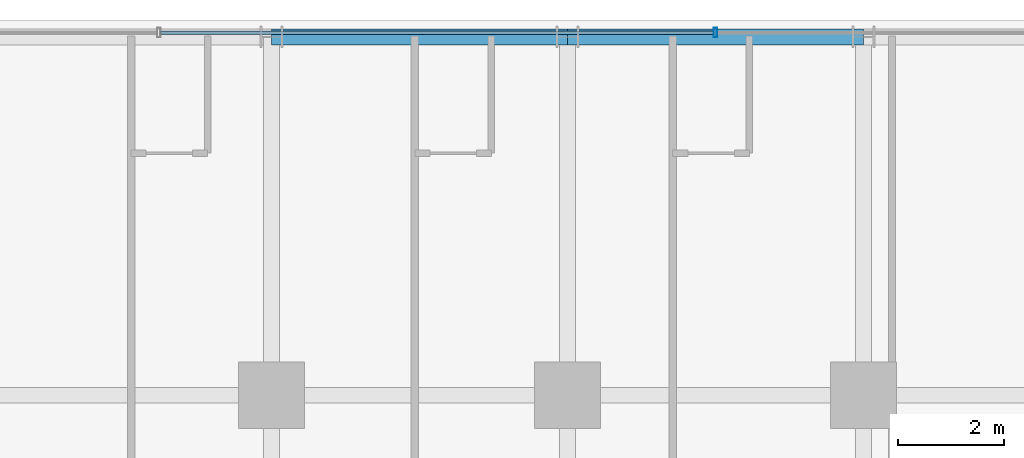
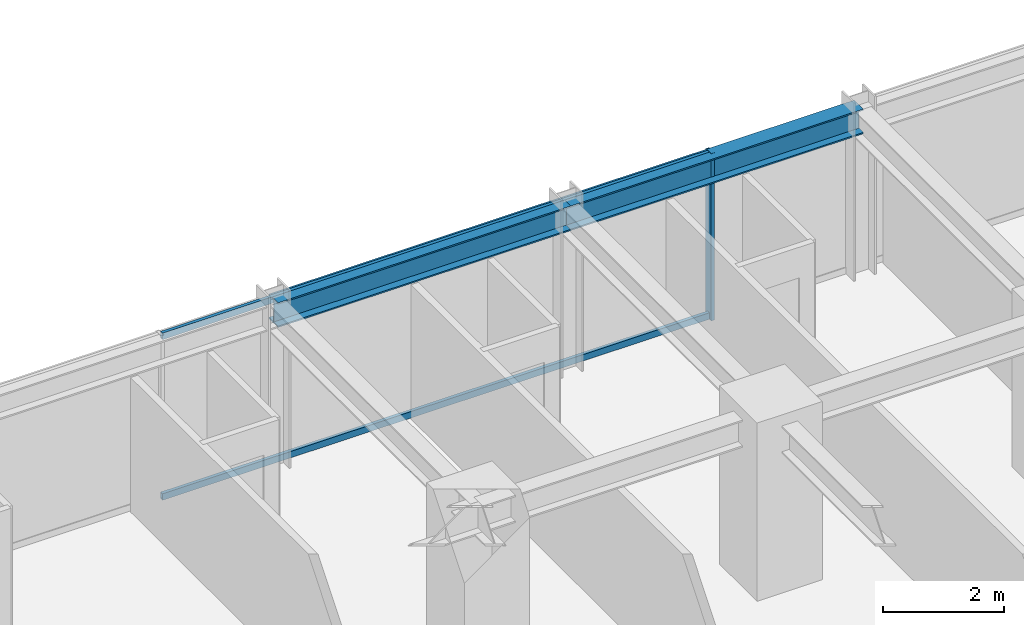
# One storey, part 19 of 32: 3 members, 2 beams, 1 element without a shape of its own.
"""IFC4 building model written with IfcOpenShell, lengths in metres."""

from ifc_helpers import new_model, si_unit, direction, frame, origin, origin_2d, place, context, subcontext, project, spatial, hollow_rectangle, i_section, extrude, source, transform, mapped, material, material_profile, profile_set, type_object, element, aggregate, save


model = new_model("IFC4")

# Units and contexts
model_context = context("Model", 3, precision=1e-05, world=origin(), true_north=direction((0.0, 1.0)))
body_context = subcontext(model_context, "Body", "Model", "MODEL_VIEW")
ifc_project = project(units=[si_unit("LENGTHUNIT", "METRE"), si_unit("AREAUNIT", "SQUARE_METRE"), si_unit("VOLUMEUNIT", "CUBIC_METRE"), si_unit("PLANEANGLEUNIT", "RADIAN"), si_unit("MASSUNIT", "GRAM", prefix="KILO")], contexts=[model_context])

# Site, building, storey
site_placement = place(None, origin())
site = spatial("IfcSite", under=ifc_project, at=site_placement, CompositionType="ELEMENT")
building_placement = place(site_placement, origin())
building = spatial("IfcBuilding", under=site, at=building_placement, Name="Nahalor Promenade Grand Hotel", CompositionType="ELEMENT")
storey_placement = place(building_placement, frame((0.0, 0.0, 102.89990234375)))
storey = spatial("IfcBuildingStorey", under=building, at=storey_placement, Name="L25", CompositionType="ELEMENT", Elevation=102.89990234375)

# Beams
ifc_material_1 = material(Name="Steel S355JR", Category="steel")
ifc_material_profile_1 = material_profile(ifc_material_1, i_section(OverallWidth=0.3, OverallDepth=0.5, WebThickness=0.0145, FlangeThickness=0.028, at=origin_2d()), Name="HEB 500")
ifc_profile_set_1 = profile_set([ifc_material_profile_1], Name="Steel S355JR")
beam_type = type_object("IfcBeamType", Name="Beam-Spandrel-HEB500", PredefinedType="SPANDREL", material=ifc_profile_set_1)
shared_shape_1 = source(origin(), body_context, "Body", "SweptSolid", [
    extrude(i_section(OverallWidth=0.3, OverallDepth=0.5, WebThickness=0.0145, FlangeThickness=0.028, at=origin_2d()), origin(), (0.0, 0.0, 1.0), 5.599853515625),
])
beam_1_placement = place(storey_placement, frame((-8.39990234375, 23.780029296875, 3.130126953125), z_axis=(1.0, 0.0, 0.0), x_axis=(0.0, 1.0, 0.0)))
element("IfcBeam", 1, at=beam_1_placement, inside=storey, type_object=beam_type, Name="BM-L25-SP-N-1", PredefinedType="SPANDREL", context=body_context, shape_type="MappedRepresentation", body=[
    mapped(shared_shape_1, transform((0.0, 0.0, 0.0), scale=1.0)),
])
shared_shape_2 = source(origin(), body_context, "Body", "SweptSolid", [
    extrude(i_section(OverallWidth=0.3, OverallDepth=0.5, WebThickness=0.0145, FlangeThickness=0.028, at=origin_2d()), origin(), (0.0, 0.0, 1.0), 5.60009765625),
])
beam_2_placement = place(storey_placement, frame((-2.800048828125, 23.780029296875, 3.130126953125), z_axis=(1.0, 0.0, 0.0), x_axis=(0.0, 1.0, 0.0)))
element("IfcBeam", 2, at=beam_2_placement, inside=storey, type_object=beam_type, Name="BM-L25-SP-N-2", PredefinedType="SPANDREL", context=body_context, shape_type="MappedRepresentation", body=[
    mapped(shared_shape_2, transform((0.0, 0.0, 0.0), scale=1.0)),
])

# Curtain wall, members
ifc_material_2 = material(Name="Anodised Bronze Aluminium EN AW-6063 T6", Category="aluminium")
curtain_wall_type = type_object("IfcCurtainWallType", Name="CW2 Typical Hotel Flush Bronze Unitised Curtain Wall", PredefinedType="USERDEFINED", material=ifc_material_2)
curtain_wall_placement = place(storey_placement, origin())
curtain_wall = element("IfcCurtainWall", 3, at=curtain_wall_placement, inside=storey, type_object=curtain_wall_type, Name="L25 Curtain Wall CW-L25-N-1", ObjectType="UNITISED_CURTAIN_WALL", PredefinedType="USERDEFINED")
ifc_material_profile_2 = material_profile(ifc_material_2, hollow_rectangle(XDim=0.065, YDim=0.13, WallThickness=0.004, at=origin_2d()), Name="CWT 65x130x4")
ifc_profile_set_2 = profile_set([ifc_material_profile_2], Name="Anodised Bronze Aluminium EN AW-6063 T6")
member_type_1 = type_object("IfcMemberType", Name="CWT2 Typical Bronze Transom 65x130", PredefinedType="USERDEFINED", material=ifc_profile_set_2)
shared_shape_3 = source(origin(), body_context, "Body", "SweptSolid", [
    extrude(hollow_rectangle(XDim=0.065, YDim=0.13, WallThickness=0.004, at=origin_2d()), origin(), (0.0, 0.0, 1.0), 10.465087890625),
])
member_1_placement = place(storey_placement, frame((-10.49755859375, 23.860107421875, 0.065185546875), z_axis=(1.0, 0.0, 0.0), x_axis=(0.0, 1.0, 0.0)))
member_1 = element("IfcMember", 4, at=member_1_placement, type_object=member_type_1, Name="CW-L25-N-1 Transom 1-0", ObjectType="TRANSOM", PredefinedType="USERDEFINED", context=body_context, shape_type="MappedRepresentation", body=[
    mapped(shared_shape_3, transform((0.0, 0.0, 0.0), scale=1.0)),
])
member_2_placement = place(storey_placement, frame((-10.49755859375, 23.860107421875, 3.315185546875), z_axis=(1.0, 0.0, 0.0), x_axis=(0.0, 1.0, 0.0)))
member_2 = element("IfcMember", 5, at=member_2_placement, type_object=member_type_1, Name="CW-L25-N-1 Transom 1-1", ObjectType="TRANSOM", PredefinedType="USERDEFINED", context=body_context, shape_type="MappedRepresentation", body=[
    mapped(shared_shape_3, transform((0.0, 0.0, 0.0), scale=1.0)),
])
ifc_material_profile_3 = material_profile(ifc_material_2, hollow_rectangle(XDim=0.065, YDim=0.18, WallThickness=0.004, at=origin_2d()), Name="CWM 65x180x4")
ifc_profile_set_3 = profile_set([ifc_material_profile_3], Name="Anodised Bronze Aluminium EN AW-6063 T6")
member_type_2 = type_object("IfcMemberType", Name="CWM2 Typical Bronze Mullion 65x180", PredefinedType="MULLION", material=ifc_profile_set_3)
shared_shape_4 = source(origin(), body_context, "Body", "SweptSolid", [
    extrude(hollow_rectangle(XDim=0.065, YDim=0.18, WallThickness=0.004, at=origin_2d()), origin(), (0.0, 0.0, 1.0), 3.380126953125),
])
member_3_placement = place(storey_placement, frame((0.0, 23.860107421875, 0.0), z_axis=(0.0, 0.0, 1.0), x_axis=(1.0, 0.0, 0.0)))
member_3 = element("IfcMember", 6, at=member_3_placement, type_object=member_type_2, Name="CW-L25-N-1 Mullion 2", PredefinedType="MULLION", context=body_context, shape_type="MappedRepresentation", body=[
    mapped(shared_shape_4, transform((0.0, 0.0, 0.0), scale=1.0)),
])
aggregate(curtain_wall, [member_3, member_1, member_2])

save(model, "model.ifc")
